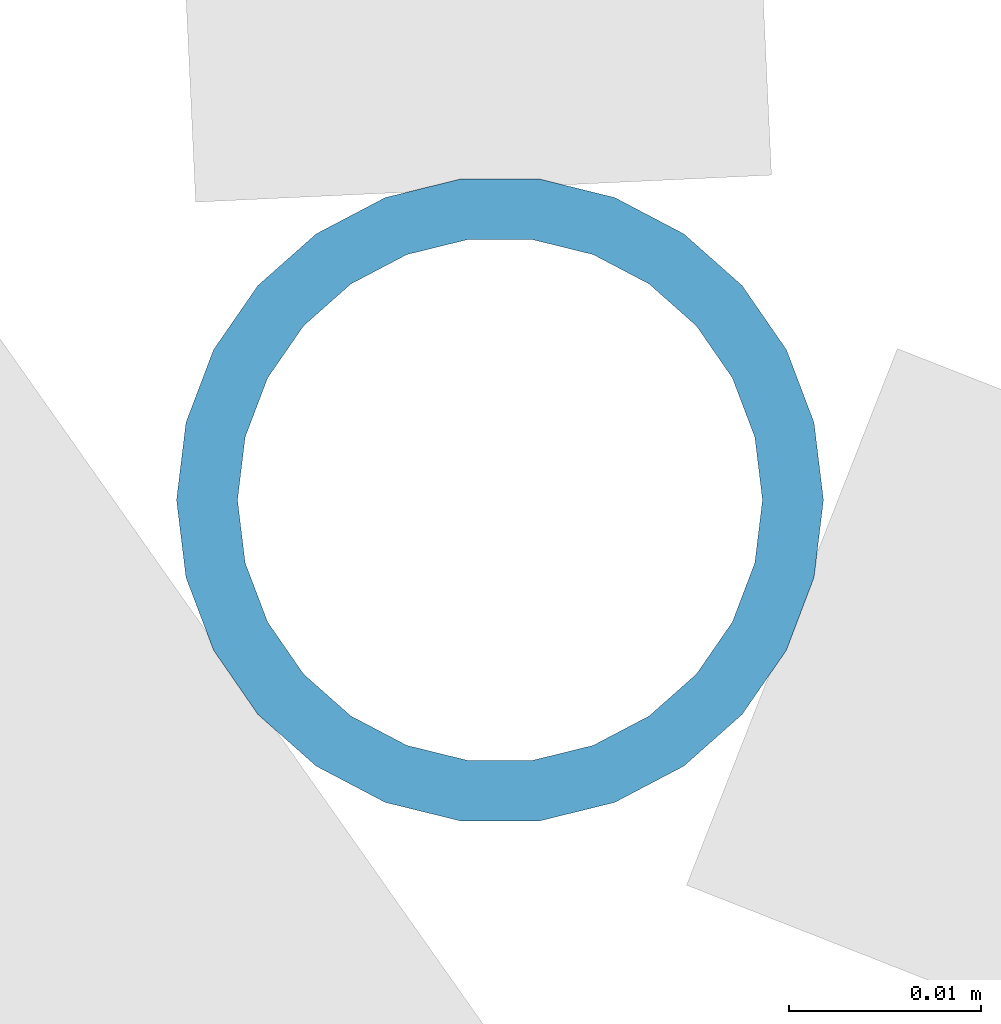
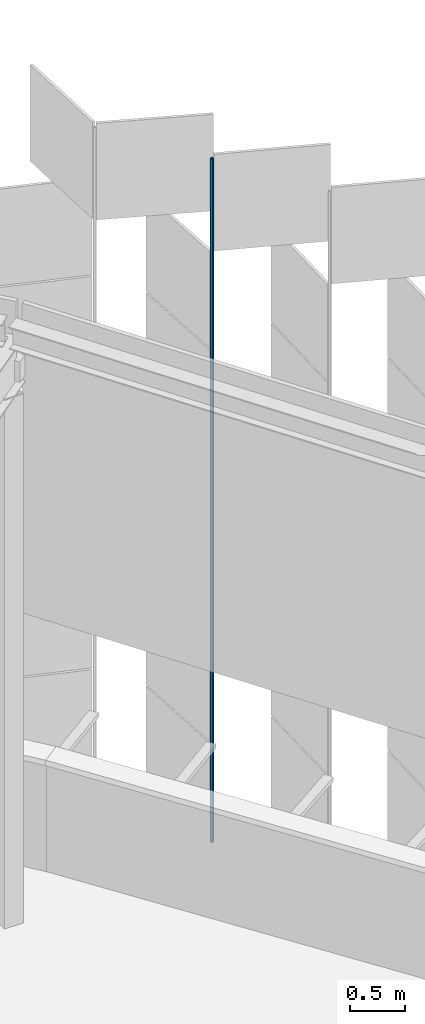
# One storey, part 327 of 483: 1 discrete accessory.
"""IFC4 building model written with IfcOpenShell, lengths in metres."""

from ifc_helpers import new_model, si_unit, direction, frame, origin, origin_2d, place, context, subcontext, project, spatial, hollow_circle, extrude, material, material_profile, profile_set, type_object, element, save


model = new_model("IFC4")

# Units and contexts
model_context = context("Model", 3, precision=1e-05, world=origin(), true_north=direction((0.0, 1.0)))
body_context = subcontext(model_context, "Body", "Model", "MODEL_VIEW")
ifc_project = project(units=[si_unit("LENGTHUNIT", "METRE"), si_unit("AREAUNIT", "SQUARE_METRE"), si_unit("VOLUMEUNIT", "CUBIC_METRE"), si_unit("PLANEANGLEUNIT", "RADIAN"), si_unit("MASSUNIT", "GRAM", prefix="KILO")], contexts=[model_context])

# Site, building, storey
site_placement = place(None, origin())
site = spatial("IfcSite", under=ifc_project, at=site_placement, CompositionType="ELEMENT")
building_placement = place(site_placement, origin())
building = spatial("IfcBuilding", under=site, at=building_placement, Name="Parallax Yard Mobility Hub", CompositionType="ELEMENT")
storey_placement = place(building_placement, frame((0.0, 0.0, 13.199951171875)))
storey = spatial("IfcBuildingStorey", under=building, at=storey_placement, Name="L04", CompositionType="ELEMENT", Elevation=13.199951171875)

# Discrete accessory
ifc_material = material(Name="Steel ASTM A500 Gr C, hot-dip galvanised", Category="steel")
ifc_material_profile = material_profile(ifc_material, hollow_circle(Radius=0.016845703125, WallThickness=0.003173828125, at=origin_2d()), Name="CHS 33.7x3.2")
ifc_profile_set = profile_set([ifc_material_profile], Name="Steel ASTM A500 Gr C, hot-dip galvanised")
discrete_accessory_type = type_object("IfcDiscreteAccessoryType", Name="Hinge post CHS 33.7x3.2", PredefinedType="BRACKET", material=ifc_profile_set)
discrete_accessory_placement = place(storey_placement, frame((216.3271484375, 120.368408203125, 0.0), z_axis=(0.0, 0.0, 1.0), x_axis=(1.0, 0.0, 0.0)))
element("IfcDiscreteAccessory", 1, at=discrete_accessory_placement, inside=storey, type_object=discrete_accessory_type, Name="Hinge post bay 44.7 level L04", PredefinedType="BRACKET", context=body_context, shape_type="SweptSolid", body=[
    extrude(hollow_circle(Radius=0.016845703125, WallThickness=0.003173828125, at=origin_2d()), origin(), (0.0, 0.0, 1.0), 7.650146484375),
])

save(model, "model.ifc")
